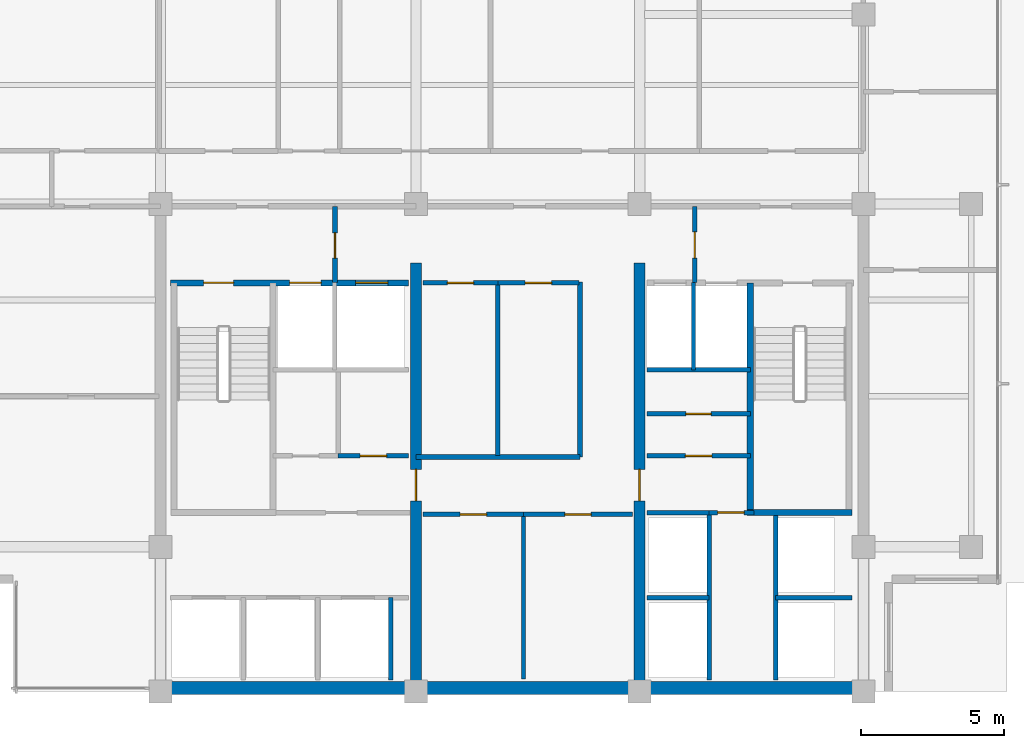
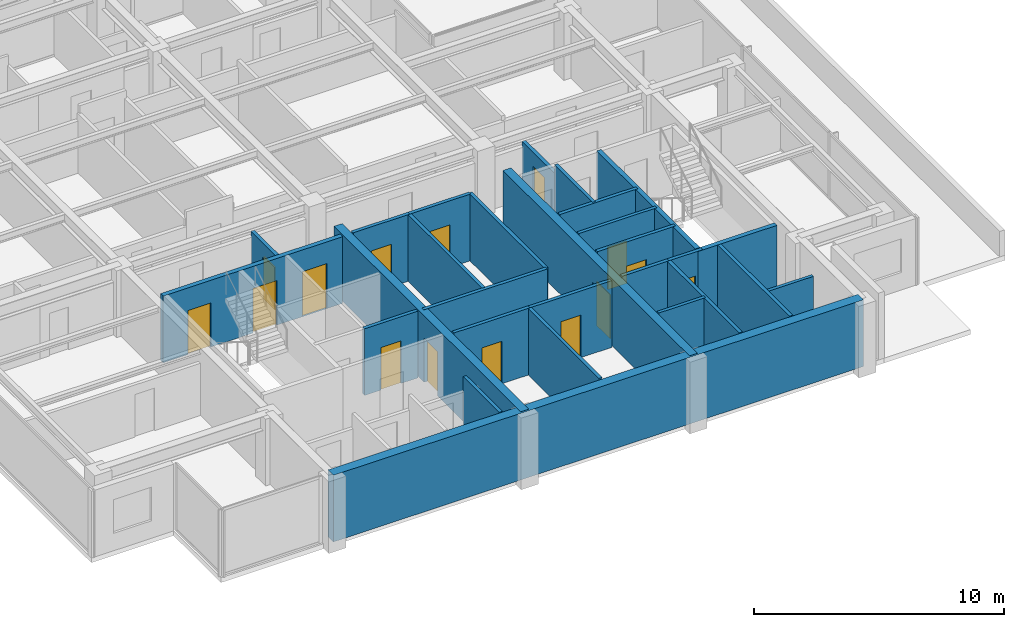
# One storey, part 6 of 11: 28 walls, 15 doors, 15 openings.
"""IFC4 building model written with IfcOpenShell, lengths in metres."""

from ifc_helpers import new_model, si_unit, direction, frame, frame_2d, origin, place, context, subcontext, project, spatial, rectangle, extrude, material, layer, layer_set, type_object, element, fill, save


model = new_model("IFC4")

# Units and contexts
model_context = context("Model", 3, precision=1e-05, world=origin(), true_north=direction((0.0, 1.0)))
body_context = subcontext(model_context, "Body", "Model", "MODEL_VIEW")
ifc_project = project(units=[si_unit("LENGTHUNIT", "METRE"), si_unit("AREAUNIT", "SQUARE_METRE"), si_unit("VOLUMEUNIT", "CUBIC_METRE"), si_unit("PLANEANGLEUNIT", "RADIAN"), si_unit("MASSUNIT", "GRAM", prefix="KILO")], contexts=[model_context])

# Site, building, storey
site_placement = place(None, origin())
site = spatial("IfcSite", under=ifc_project, at=site_placement, CompositionType="ELEMENT")
building_placement = place(site_placement, origin())
building = spatial("IfcBuilding", under=site, at=building_placement, Name="Qalmaran Belvedere Hotel", CompositionType="ELEMENT")
storey_placement = place(building_placement, frame((0.0, 0.0, 238.89990234375)))
storey = spatial("IfcBuildingStorey", under=building, at=storey_placement, Name="L61", CompositionType="ELEMENT", Elevation=238.89990234375)

# Wall, opening, door
ifc_material_1 = material(Name="Concrete C50/60", Category="concrete")
ifc_layer_1 = layer(ifc_material_1, 0.3798828125, Name="Concrete C50/60")
ifc_layer_set_1 = layer_set([ifc_layer_1], Name="Concrete C50/60")
wall_type_1 = type_object("IfcWallType", Name="WL-CORE-380-C50", PredefinedType="SHEAR", material=ifc_layer_set_1)
wall_1_placement = place(storey_placement, frame((29.199951171875, 3.5, 0.0), z_axis=(0.0, 0.0, 1.0), x_axis=(0.0, 1.0, 0.0)))
wall_1 = element("IfcWall", 1, at=wall_1_placement, inside=storey, type_object=wall_type_1, Name="L61 Core West Spine Shear Wall", PredefinedType="SHEAR", context=body_context, shape_type="SweptSolid", body=[
    extrude(rectangle(XDim=14.949951171875, YDim=0.3798828125, at=frame_2d((7.47509765625, 0.0))), origin(), (0.0, 0.0, 1.0), 3.260009765625),
])
opening_1_placement = place(wall_1_placement, frame((7.75, 0.0, 0.0), z_axis=(0.0, 0.0, 1.0), x_axis=(-1.0, 0.0, 0.0)))
opening_1 = element("IfcOpeningElement", 2, at=opening_1_placement, cuts=wall_1, Name="Opening FD90", PredefinedType="OPENING", context=body_context, shape_type="SweptSolid", body=[
    extrude(rectangle(XDim=1.10009765625, YDim=2.14990234375, at=frame_2d((0.550048828125, 1.074951171875))), frame((0.0, 0.199951171875, 0.0), z_axis=(0.0, -1.0, 0.0), x_axis=(1.0, 0.0, 0.0)), (0.0, 0.0, 1.0), 0.39990234375),
])
ifc_material_2 = material(Name="Steel S355JR", Category="steel")
door_type_1 = type_object("IfcDoorType", Name="DR-FD90-1100X2150", OperationType="NOTDEFINED", PredefinedType="DOOR", material=ifc_material_2)
door_1_placement = place(opening_1_placement, origin())
door_1 = element("IfcDoor", 3, at=door_1_placement, inside=storey, type_object=door_type_1, Name="L61 Core West Cross-Lobby Door", OperationType="SINGLE_SWING_LEFT", OverallHeight=2.14990234375, OverallWidth=1.10009765625, PredefinedType="DOOR", context=body_context, shape_type="SweptSolid", body=[
    extrude(rectangle(XDim=1.10009765625, YDim=2.14990234375, at=frame_2d((0.550048828125, 1.074951171875))), frame((0.0, 0.02490234375, 0.0), z_axis=(0.0, -1.0, 0.0), x_axis=(1.0, 0.0, 0.0)), (0.0, 0.0, 1.0), 0.050048828125),
])
fill(opening_1, door_1)

wall_2_placement = place(storey_placement, frame((37.0, 3.5, 0.0), z_axis=(0.0, 0.0, 1.0), x_axis=(0.0, 1.0, 0.0)))
wall_2 = element("IfcWall", 4, at=wall_2_placement, inside=storey, type_object=wall_type_1, Name="L61 Core East Spine Shear Wall", PredefinedType="SHEAR", context=body_context, shape_type="SweptSolid", body=[
    extrude(rectangle(XDim=14.949951171875, YDim=0.3798828125, at=frame_2d((7.47509765625, 0.0))), origin(), (0.0, 0.0, 1.0), 3.260009765625),
])
opening_2_placement = place(wall_2_placement, frame((6.64990234375, 0.0, 0.0)))
opening_2 = element("IfcOpeningElement", 5, at=opening_2_placement, cuts=wall_2, Name="Opening FD90", PredefinedType="OPENING", context=body_context, shape_type="SweptSolid", body=[
    extrude(rectangle(XDim=1.10009765625, YDim=2.14990234375, at=frame_2d((0.550048828125, 1.074951171875))), frame((0.0, 0.199951171875, 0.0), z_axis=(0.0, -1.0, 0.0), x_axis=(1.0, 0.0, 0.0)), (0.0, 0.0, 1.0), 0.39990234375),
])
door_2_placement = place(opening_2_placement, origin())
door_2 = element("IfcDoor", 6, at=door_2_placement, inside=storey, type_object=door_type_1, Name="L61 Core East Cross-Lobby Door", OperationType="SINGLE_SWING_RIGHT", OverallHeight=2.14990234375, OverallWidth=1.10009765625, PredefinedType="DOOR", context=body_context, shape_type="SweptSolid", body=[
    extrude(rectangle(XDim=1.10009765625, YDim=2.14990234375, at=frame_2d((0.550048828125, 1.074951171875))), frame((0.0, 0.02490234375, 0.0), z_axis=(0.0, -1.0, 0.0), x_axis=(1.0, 0.0, 0.0)), (0.0, 0.0, 1.0), 0.050048828125),
])
fill(opening_2, door_2)

# Walls
ifc_layer_2 = layer(ifc_material_1, 0.43994140625, Name="Concrete C50/60")
ifc_layer_set_2 = layer_set([ifc_layer_2], Name="Concrete C50/60")
wall_type_2 = type_object("IfcWallType", Name="WL-CORES-440-EXT", PredefinedType="SHEAR", material=ifc_layer_set_2)
wall_3_placement = place(storey_placement, frame((20.300048828125, 3.6298828125, 0.0), z_axis=(0.0, 0.0, 1.0), x_axis=(1.0, 0.0, 0.0)))
element("IfcWall", 7, at=wall_3_placement, inside=storey, type_object=wall_type_2, Name="L61 South Core Shear Wall", PredefinedType="SHEAR", context=body_context, shape_type="SweptSolid", body=[
    extrude(rectangle(XDim=24.5, YDim=0.43994140625, at=frame_2d((12.25, 0.0))), origin(), (0.0, 0.0, 1.0), 3.260009765625),
])
ifc_material_3 = material(Name="Gypsum Stud Partition")
ifc_layer_3 = layer(ifc_material_3, 0.14990234375, Name="Gypsum Stud Partition")
ifc_layer_set_3 = layer_set([ifc_layer_3], Name="Gypsum Stud Partition")
wall_type_3 = type_object("IfcWallType", Name="WL-INT-150-EI120", PredefinedType="PARTITIONING", material=ifc_layer_set_3)
wall_4_placement = place(storey_placement, frame((38.8798828125, 14.719970703125, 0.0), z_axis=(0.0, 0.0, 1.0), x_axis=(0.0, 1.0, 0.0)))
element("IfcWall", 8, at=wall_4_placement, inside=storey, type_object=wall_type_3, Name="L61 Partition WL-FF2M-L61", PredefinedType="PARTITIONING", context=body_context, shape_type="SweptSolid", body=[
    extrude(rectangle(XDim=3.0400390625, YDim=0.14990234375, at=frame_2d((1.52001953125, 0.0))), origin(), (0.0, 0.0, 1.0), 3.260009765625),
])
wall_5_placement = place(storey_placement, frame((28.320068359375, 3.89990234375, 0.0), z_axis=(0.0, 0.0, 1.0), x_axis=(0.0, 1.0, 0.0)))
element("IfcWall", 9, at=wall_5_placement, inside=storey, type_object=wall_type_3, Name="L61 Partition WL-POM3-L61", PredefinedType="PARTITIONING", context=body_context, shape_type="SweptSolid", body=[
    extrude(rectangle(XDim=2.880126953125, YDim=0.14990234375, at=frame_2d((1.43994140625, 0.0))), origin(), (0.0, 0.0, 1.0), 3.260009765625),
])
wall_6_placement = place(storey_placement, frame((37.25, 6.780029296875, 0.0), z_axis=(0.0, 0.0, 1.0), x_axis=(1.0, 0.0, 0.0)))
element("IfcWall", 10, at=wall_6_placement, inside=storey, type_object=wall_type_3, Name="L61 Partition WL-PHMW-L61", PredefinedType="PARTITIONING", context=body_context, shape_type="SweptSolid", body=[
    extrude(rectangle(XDim=2.169921875, YDim=0.14990234375, at=frame_2d((1.0849609375, 0.0))), origin(), (0.0, 0.0, 1.0), 3.260009765625),
])
wall_7_placement = place(storey_placement, frame((41.739990234375, 6.780029296875, 0.0), z_axis=(0.0, 0.0, 1.0), x_axis=(1.0, 0.0, 0.0)))
element("IfcWall", 11, at=wall_7_placement, inside=storey, type_object=wall_type_3, Name="L61 Partition WL-PHME-L61", PredefinedType="PARTITIONING", context=body_context, shape_type="SweptSolid", body=[
    extrude(rectangle(XDim=2.659912109375, YDim=0.14990234375, at=frame_2d((1.330078125, 0.0))), origin(), (0.0, 0.0, 1.0), 2.550048828125),
])

# Wall, opening, door
ifc_layer_4 = layer(ifc_material_3, 0.14990234375, Name="Gypsum Stud Partition")
ifc_layer_set_4 = layer_set([ifc_layer_4], Name="Gypsum Stud Partition")
wall_type_4 = type_object("IfcWallType", Name="WL-INT-150-EI60", PredefinedType="PARTITIONING", material=ifc_layer_set_4)
wall_8_placement = place(storey_placement, frame((37.25, 13.18505859375, 0.0), z_axis=(0.0, 0.0, 1.0), x_axis=(1.0, 0.0, 0.0)))
wall_8 = element("IfcWall", 12, at=wall_8_placement, inside=storey, type_object=wall_type_4, Name="L61 Partition WL-L61-KEHM", PredefinedType="PARTITIONING", context=body_context, shape_type="SweptSolid", body=[
    extrude(rectangle(XDim=3.610107421875, YDim=0.14990234375, at=frame_2d((1.80517578125, 0.0))), origin(), (0.0, 0.0, 1.0), 3.260009765625),
])
opening_3_placement = place(wall_8_placement, frame((1.364990234375, 0.0, 0.0)))
opening_3 = element("IfcOpeningElement", 13, at=opening_3_placement, cuts=wall_8, Name="Opening FD60B", PredefinedType="OPENING", context=body_context, shape_type="SweptSolid", body=[
    extrude(rectangle(XDim=0.8798828125, YDim=2.080078125, at=frame_2d((0.43994140625, 1.0400390625))), frame((0.0, 0.0849609375, 0.0), z_axis=(0.0, -1.0, 0.0), x_axis=(1.0, 0.0, 0.0)), (0.0, 0.0, 1.0), 0.169921875),
])
door_type_2 = type_object("IfcDoorType", Name="DR-FD60B-880X2080", OperationType="NOTDEFINED", PredefinedType="DOOR", material=ifc_material_2)
door_3_placement = place(opening_3_placement, origin())
door_3 = element("IfcDoor", 14, at=door_3_placement, inside=storey, type_object=door_type_2, Name="L61 Hotel Linen Closet Door", OperationType="SINGLE_SWING_LEFT", OverallHeight=2.080078125, OverallWidth=0.8798828125, PredefinedType="DOOR", context=body_context, shape_type="SweptSolid", body=[
    extrude(rectangle(XDim=0.8798828125, YDim=2.080078125, at=frame_2d((0.43994140625, 1.0400390625))), frame((0.0, 0.02490234375, 0.0), z_axis=(0.0, -1.0, 0.0), x_axis=(1.0, 0.0, 0.0)), (0.0, 0.0, 1.0), 0.050048828125),
])
fill(opening_3, door_3)

# Walls
wall_9_placement = place(storey_placement, frame((32.9541015625, 3.949951171875, 0.0), z_axis=(0.0, 0.0, 1.0), x_axis=(0.0, 1.0, 0.0)))
element("IfcWall", 15, at=wall_9_placement, inside=storey, type_object=wall_type_4, Name="L61 Partition WL-L61-KPLV1", PredefinedType="PARTITIONING", context=body_context, shape_type="SweptSolid", body=[
    extrude(rectangle(XDim=5.72998046875, YDim=0.14990234375, at=frame_2d((2.864990234375, 0.0))), origin(), (0.0, 0.0, 1.0), 3.260009765625),
])
wall_10_placement = place(storey_placement, frame((32.056396484375, 11.739990234375, 0.0), z_axis=(0.0, 0.0, 1.0), x_axis=(0.0, 1.0, 0.0)))
element("IfcWall", 16, at=wall_10_placement, inside=storey, type_object=wall_type_4, Name="L61 Partition WL-L61-KPMV1", PredefinedType="PARTITIONING", context=body_context, shape_type="SweptSolid", body=[
    extrude(rectangle(XDim=6.010009765625, YDim=0.14990234375, at=frame_2d((3.0048828125, 0.0))), origin(), (0.0, 0.0, 1.0), 3.260009765625),
])

# Wall, opening, door
ifc_layer_5 = layer(ifc_material_3, 0.159912109375, Name="Gypsum Stud Partition")
ifc_layer_set_5 = layer_set([ifc_layer_5], Name="Gypsum Stud Partition")
wall_type_5 = type_object("IfcWallType", Name="WL-INT-160-EI120", PredefinedType="PARTITIONING", material=ifc_layer_set_5)
wall_11_placement = place(storey_placement, frame((26.3798828125, 17.760009765625, 0.0), z_axis=(0.0, 0.0, 1.0), x_axis=(0.0, 1.0, 0.0)))
wall_11 = element("IfcWall", 17, at=wall_11_placement, inside=storey, type_object=wall_type_5, Name="L61 Partition WL-FFSV1-L61", PredefinedType="PARTITIONING", context=body_context, shape_type="SweptSolid", body=[
    extrude(rectangle(XDim=2.659912109375, YDim=0.159912109375, at=frame_2d((1.330078125, 0.0))), origin(), (0.0, 0.0, 1.0), 2.781982421875),
])
opening_4_placement = place(wall_11_placement, frame((0.85009765625, 0.0, 0.0)))
opening_4 = element("IfcOpeningElement", 18, at=opening_4_placement, cuts=wall_11, Name="Opening FD60B", PredefinedType="OPENING", context=body_context, shape_type="SweptSolid", body=[
    extrude(rectangle(XDim=0.8798828125, YDim=2.080078125, at=frame_2d((0.43994140625, 1.0400390625))), frame((0.0, 0.08984375, 0.0), z_axis=(0.0, -1.0, 0.0), x_axis=(1.0, 0.0, 0.0)), (0.0, 0.0, 1.0), 0.179931640625),
])
door_4_placement = place(opening_4_placement, origin())
door_4 = element("IfcDoor", 19, at=door_4_placement, inside=storey, type_object=door_type_2, Name="L61 Service Lobby West Door", OperationType="SINGLE_SWING_LEFT", OverallHeight=2.080078125, OverallWidth=0.8798828125, PredefinedType="DOOR", context=body_context, shape_type="SweptSolid", body=[
    extrude(rectangle(XDim=0.8798828125, YDim=2.080078125, at=frame_2d((0.43994140625, 1.0400390625))), frame((0.0, 0.02490234375, 0.0), z_axis=(0.0, -1.0, 0.0), x_axis=(1.0, 0.0, 0.0)), (0.0, 0.0, 1.0), 0.050048828125),
])
fill(opening_4, door_4)

wall_12_placement = place(storey_placement, frame((38.919921875, 17.760009765625, 0.0), z_axis=(0.0, 0.0, 1.0), x_axis=(0.0, 1.0, 0.0)))
wall_12 = element("IfcWall", 20, at=wall_12_placement, inside=storey, type_object=wall_type_5, Name="L61 Partition WL-FFSV2-L61", PredefinedType="PARTITIONING", context=body_context, shape_type="SweptSolid", body=[
    extrude(rectangle(XDim=2.659912109375, YDim=0.159912109375, at=frame_2d((1.330078125, 0.0))), origin(), (0.0, 0.0, 1.0), 2.781982421875),
])
opening_5_placement = place(wall_12_placement, frame((1.77001953125, 0.0, 0.0), z_axis=(0.0, 0.0, 1.0), x_axis=(-1.0, 0.0, 0.0)))
opening_5 = element("IfcOpeningElement", 21, at=opening_5_placement, cuts=wall_12, Name="Opening FD60S1", PredefinedType="OPENING", context=body_context, shape_type="SweptSolid", body=[
    extrude(rectangle(XDim=0.919921875, YDim=2.080078125, at=frame_2d((0.4599609375, 1.0400390625))), frame((0.0, 0.08984375, 0.0), z_axis=(0.0, -1.0, 0.0), x_axis=(1.0, 0.0, 0.0)), (0.0, 0.0, 1.0), 0.179931640625),
])
ifc_material_4 = material(Name="Engineered Oak Veneer")
door_type_3 = type_object("IfcDoorType", Name="DR-FD60S-920X2080", OperationType="NOTDEFINED", PredefinedType="DOOR", material=ifc_material_4)
door_5_placement = place(opening_5_placement, origin())
door_5 = element("IfcDoor", 22, at=door_5_placement, inside=storey, type_object=door_type_3, Name="L61 Service Lobby East Door", OperationType="SINGLE_SWING_RIGHT", OverallHeight=2.080078125, OverallWidth=0.919921875, PredefinedType="DOOR", context=body_context, shape_type="SweptSolid", body=[
    extrude(rectangle(XDim=0.919921875, YDim=2.080078125, at=frame_2d((0.4599609375, 1.0400390625))), frame((0.0, 0.02490234375, 0.0), z_axis=(0.0, -1.0, 0.0), x_axis=(1.0, 0.0, 0.0)), (0.0, 0.0, 1.0), 0.050048828125),
])
fill(opening_5, door_5)

# Walls
wall_13_placement = place(storey_placement, frame((37.25, 14.719970703125, 0.0), z_axis=(0.0, 0.0, 1.0), x_axis=(1.0, 0.0, 0.0)))
element("IfcWall", 23, at=wall_13_placement, inside=storey, type_object=wall_type_5, Name="L61 Partition WL-FF2S-L61", PredefinedType="PARTITIONING", context=body_context, shape_type="SweptSolid", body=[
    extrude(rectangle(XDim=3.610107421875, YDim=0.159912109375, at=frame_2d((1.80517578125, 0.0))), origin(), (0.0, 0.0, 1.0), 3.260009765625),
])
for number, where, z_axis, x_axis, name in (
    (24, (39.419921875, 3.89990234375, 0.0), (0.0, 0.0, 1.0), (0.0, 1.0, 0.0), "L61 Partition WL-PHW-L61"),
    (25, (41.739990234375, 3.89990234375, 0.0), (0.0, 0.0, 1.0), (0.0, 1.0, 0.0), "L61 Partition WL-PHE-L61"),
):
    element("IfcWall", number, at=place(storey_placement, frame(where, z_axis=z_axis, x_axis=x_axis)), inside=storey, type_object=wall_type_5, Name=name, PredefinedType="PARTITIONING", context=body_context, shape_type="SweptSolid", body=[
        extrude(rectangle(XDim=5.840087890625, YDim=0.159912109375, at=frame_2d((2.919921875, 0.0))), origin(), (0.0, 0.0, 1.0), 3.260009765625),
    ])
wall_14_placement = place(storey_placement, frame((37.25, 9.739990234375, 0.0), z_axis=(0.0, 0.0, 1.0), x_axis=(1.0, 0.0, 0.0)))
element("IfcWall", 26, at=wall_14_placement, inside=storey, type_object=wall_type_5, Name="L61 Partition WL-PHNW-L61", PredefinedType="PARTITIONING", context=body_context, shape_type="SweptSolid", body=[
    extrude(rectangle(XDim=2.169921875, YDim=0.159912109375, at=frame_2d((1.0849609375, 0.0))), origin(), (0.0, 0.0, 1.0), 3.260009765625),
])

# Wall, opening, door
wall_15_placement = place(storey_placement, frame((39.419921875, 9.739990234375, 0.0), z_axis=(0.0, 0.0, 1.0), x_axis=(1.0, 0.0, 0.0)))
wall_15 = element("IfcWall", 27, at=wall_15_placement, inside=storey, type_object=wall_type_5, Name="L61 Partition WL-PHNL-L61", PredefinedType="PARTITIONING", context=body_context, shape_type="SweptSolid", body=[
    extrude(rectangle(XDim=1.56005859375, YDim=0.159912109375, at=frame_2d((0.780029296875, 0.0))), origin(), (0.0, 0.0, 1.0), 3.260009765625),
])
opening_6_placement = place(wall_15_placement, frame((0.300048828125, 0.0, 0.0)))
opening_6 = element("IfcOpeningElement", 28, at=opening_6_placement, cuts=wall_15, Name="Opening FD60S1", PredefinedType="OPENING", context=body_context, shape_type="SweptSolid", body=[
    extrude(rectangle(XDim=0.919921875, YDim=2.080078125, at=frame_2d((0.4599609375, 1.0400390625))), frame((0.0, 0.08984375, 0.0), z_axis=(0.0, -1.0, 0.0), x_axis=(1.0, 0.0, 0.0)), (0.0, 0.0, 1.0), 0.179931640625),
])
door_6_placement = place(opening_6_placement, origin())
door_6 = element("IfcDoor", 29, at=door_6_placement, inside=storey, type_object=door_type_3, Name="L61 High-Rise Lift Lobby Passage Door", OperationType="SINGLE_SWING_LEFT", OverallHeight=2.080078125, OverallWidth=0.919921875, PredefinedType="DOOR", context=body_context, shape_type="SweptSolid", body=[
    extrude(rectangle(XDim=0.919921875, YDim=2.080078125, at=frame_2d((0.4599609375, 1.0400390625))), frame((0.0, 0.02490234375, 0.0), z_axis=(0.0, -1.0, 0.0), x_axis=(1.0, 0.0, 0.0)), (0.0, 0.0, 1.0), 0.050048828125),
])
fill(opening_6, door_6)

ifc_layer_6 = layer(ifc_material_3, 0.159912109375, Name="Gypsum Stud Partition")
ifc_layer_set_6 = layer_set([ifc_layer_6], Name="Gypsum Stud Partition")
wall_type_6 = type_object("IfcWallType", Name="WL-INT-160-EI60", PredefinedType="PARTITIONING", material=ifc_layer_set_6)
wall_16_placement = place(storey_placement, frame((26.490478515625, 11.719970703125, 0.0), z_axis=(0.0, 0.0, 1.0), x_axis=(1.0, 0.0, 0.0)))
wall_16 = element("IfcWall", 30, at=wall_16_placement, inside=storey, type_object=wall_type_6, Name="L61 Partition WL-L61-KWE2", PredefinedType="PARTITIONING", context=body_context, shape_type="SweptSolid", body=[
    extrude(rectangle(XDim=2.45947265625, YDim=0.159912109375, at=frame_2d((1.229736328125, 0.0))), origin(), (0.0, 0.0, 1.0), 3.260009765625),
])
opening_7_placement = place(wall_16_placement, frame((0.769775390625, 0.0, 0.0)))
opening_7 = element("IfcOpeningElement", 31, at=opening_7_placement, cuts=wall_16, Name="Opening FD60S1", PredefinedType="OPENING", context=body_context, shape_type="SweptSolid", body=[
    extrude(rectangle(XDim=0.919921875, YDim=2.080078125, at=frame_2d((0.4599609375, 1.0400390625))), frame((0.0, 0.08984375, 0.0), z_axis=(0.0, -1.0, 0.0), x_axis=(1.0, 0.0, 0.0)), (0.0, 0.0, 1.0), 0.179931640625),
])
door_7_placement = place(opening_7_placement, origin())
door_7 = element("IfcDoor", 32, at=door_7_placement, inside=storey, type_object=door_type_3, Name="L61 Cleaner Supply Store Door", OperationType="SINGLE_SWING_LEFT", OverallHeight=2.080078125, OverallWidth=0.919921875, PredefinedType="DOOR", context=body_context, shape_type="SweptSolid", body=[
    extrude(rectangle(XDim=0.919921875, YDim=2.080078125, at=frame_2d((0.4599609375, 1.0400390625))), frame((0.0, 0.02490234375, 0.0), z_axis=(0.0, -1.0, 0.0), x_axis=(1.0, 0.0, 0.0)), (0.0, 0.0, 1.0), 0.050048828125),
])
fill(opening_7, door_7)

wall_17_placement = place(storey_placement, frame((37.25, 11.719970703125, 0.0), z_axis=(0.0, 0.0, 1.0), x_axis=(1.0, 0.0, 0.0)))
wall_17 = element("IfcWall", 33, at=wall_17_placement, inside=storey, type_object=wall_type_6, Name="L61 Partition WL-L61-KEE1", PredefinedType="PARTITIONING", context=body_context, shape_type="SweptSolid", body=[
    extrude(rectangle(XDim=3.610107421875, YDim=0.159912109375, at=frame_2d((1.80517578125, 0.0))), origin(), (0.0, 0.0, 1.0), 3.260009765625),
])
opening_8_placement = place(wall_17_placement, frame((1.344970703125, 0.0, 0.0)))
opening_8 = element("IfcOpeningElement", 34, at=opening_8_placement, cuts=wall_17, Name="Opening FD60S1", PredefinedType="OPENING", context=body_context, shape_type="SweptSolid", body=[
    extrude(rectangle(XDim=0.919921875, YDim=2.080078125, at=frame_2d((0.4599609375, 1.0400390625))), frame((0.0, 0.08984375, 0.0), z_axis=(0.0, -1.0, 0.0), x_axis=(1.0, 0.0, 0.0)), (0.0, 0.0, 1.0), 0.179931640625),
])
door_8_placement = place(opening_8_placement, origin())
door_8 = element("IfcDoor", 35, at=door_8_placement, inside=storey, type_object=door_type_3, Name="L61 Low Voltage Switch Room Door", OperationType="SINGLE_SWING_RIGHT", OverallHeight=2.080078125, OverallWidth=0.919921875, PredefinedType="DOOR", context=body_context, shape_type="SweptSolid", body=[
    extrude(rectangle(XDim=0.919921875, YDim=2.080078125, at=frame_2d((0.4599609375, 1.0400390625))), frame((0.0, 0.02490234375, 0.0), z_axis=(0.0, -1.0, 0.0), x_axis=(1.0, 0.0, 0.0)), (0.0, 0.0, 1.0), 0.050048828125),
])
fill(opening_8, door_8)

# Wall
wall_18_placement = place(storey_placement, frame((34.919921875, 11.679931640625, 0.0), z_axis=(0.0, 0.0, 1.0), x_axis=(0.0, 1.0, 0.0)))
element("IfcWall", 36, at=wall_18_placement, inside=storey, type_object=wall_type_6, Name="L61 Partition WL-CLLV-L61", PredefinedType="PARTITIONING", context=body_context, shape_type="SweptSolid", body=[
    extrude(rectangle(XDim=6.10009765625, YDim=0.159912109375, at=frame_2d((3.050048828125, 0.0))), origin(), (0.0, 0.0, 1.0), 3.260009765625),
])

# Wall, opening, door
wall_19_placement = place(storey_placement, frame((29.449951171875, 9.679931640625, 0.0), z_axis=(0.0, 0.0, 1.0), x_axis=(1.0, 0.0, 0.0)))
wall_19 = element("IfcWall", 37, at=wall_19_placement, inside=storey, type_object=wall_type_6, Name="L61 Partition WL-L61-KPLE1", PredefinedType="PARTITIONING", context=body_context, shape_type="SweptSolid", body=[
    extrude(rectangle(XDim=3.504150390625, YDim=0.159912109375, at=frame_2d((1.751953125, 0.0))), origin(), (0.0, 0.0, 1.0), 3.260009765625),
])
opening_9_placement = place(wall_19_placement, frame((2.2119140625, 0.0, 0.0), z_axis=(0.0, 0.0, 1.0), x_axis=(-1.0, 0.0, 0.0)))
opening_9 = element("IfcOpeningElement", 38, at=opening_9_placement, cuts=wall_19, Name="Opening FD60S1", PredefinedType="OPENING", context=body_context, shape_type="SweptSolid", body=[
    extrude(rectangle(XDim=0.919921875, YDim=2.080078125, at=frame_2d((0.4599609375, 1.0400390625))), frame((0.0, 0.08984375, 0.0), z_axis=(0.0, -1.0, 0.0), x_axis=(1.0, 0.0, 0.0)), (0.0, 0.0, 1.0), 0.179931640625),
])
door_9_placement = place(opening_9_placement, origin())
door_9 = element("IfcDoor", 39, at=door_9_placement, inside=storey, type_object=door_type_3, Name="L61 Hotel Butler Service Pantry Door", OperationType="SINGLE_SWING_RIGHT", OverallHeight=2.080078125, OverallWidth=0.919921875, PredefinedType="DOOR", context=body_context, shape_type="SweptSolid", body=[
    extrude(rectangle(XDim=0.919921875, YDim=2.080078125, at=frame_2d((0.4599609375, 1.0400390625))), frame((0.0, 0.02490234375, 0.0), z_axis=(0.0, -1.0, 0.0), x_axis=(1.0, 0.0, 0.0)), (0.0, 0.0, 1.0), 0.050048828125),
])
fill(opening_9, door_9)

wall_20_placement = place(storey_placement, frame((32.9541015625, 9.679931640625, 0.0), z_axis=(0.0, 0.0, 1.0), x_axis=(1.0, 0.0, 0.0)))
wall_20 = element("IfcWall", 40, at=wall_20_placement, inside=storey, type_object=wall_type_6, Name="L61 Partition WL-L61-KPLE2", PredefinedType="PARTITIONING", context=body_context, shape_type="SweptSolid", body=[
    extrude(rectangle(XDim=3.7958984375, YDim=0.159912109375, at=frame_2d((1.89794921875, 0.0))), origin(), (0.0, 0.0, 1.0), 3.260009765625),
])
opening_10_placement = place(wall_20_placement, frame((2.35791015625, 0.0, 0.0), z_axis=(0.0, 0.0, 1.0), x_axis=(-1.0, 0.0, 0.0)))
opening_10 = element("IfcOpeningElement", 41, at=opening_10_placement, cuts=wall_20, Name="Opening FD60S1", PredefinedType="OPENING", context=body_context, shape_type="SweptSolid", body=[
    extrude(rectangle(XDim=0.919921875, YDim=2.080078125, at=frame_2d((0.4599609375, 1.0400390625))), frame((0.0, 0.08984375, 0.0), z_axis=(0.0, -1.0, 0.0), x_axis=(1.0, 0.0, 0.0)), (0.0, 0.0, 1.0), 0.179931640625),
])
door_10_placement = place(opening_10_placement, origin())
door_10 = element("IfcDoor", 42, at=door_10_placement, inside=storey, type_object=door_type_3, Name="L61 Guest Valet Supply Store Door", OperationType="SINGLE_SWING_LEFT", OverallHeight=2.080078125, OverallWidth=0.919921875, PredefinedType="DOOR", context=body_context, shape_type="SweptSolid", body=[
    extrude(rectangle(XDim=0.919921875, YDim=2.080078125, at=frame_2d((0.4599609375, 1.0400390625))), frame((0.0, 0.02490234375, 0.0), z_axis=(0.0, -1.0, 0.0), x_axis=(1.0, 0.0, 0.0)), (0.0, 0.0, 1.0), 0.050048828125),
])
fill(opening_10, door_10)

# Wall
wall_21_placement = place(storey_placement, frame((29.199951171875, 11.679931640625, 0.0), z_axis=(0.0, 0.0, 1.0), x_axis=(1.0, 0.0, 0.0)))
element("IfcWall", 43, at=wall_21_placement, inside=storey, type_object=wall_type_6, Name="L61 Partition WL-PMFS-L61", PredefinedType="PARTITIONING", context=body_context, shape_type="SweptSolid", body=[
    extrude(rectangle(XDim=5.719970703125, YDim=0.159912109375, at=frame_2d((2.85986328125, 0.0))), origin(), (0.0, 0.0, 1.0), 3.260009765625),
])

# Wall, opening, door
wall_22_placement = place(storey_placement, frame((29.449951171875, 17.75, 0.0), z_axis=(0.0, 0.0, 1.0), x_axis=(1.0, 0.0, 0.0)))
wall_22 = element("IfcWall", 44, at=wall_22_placement, inside=storey, type_object=wall_type_6, Name="L61 Partition WL-L61-KPME1", PredefinedType="PARTITIONING", context=body_context, shape_type="SweptSolid", body=[
    extrude(rectangle(XDim=2.6064453125, YDim=0.159912109375, at=frame_2d((1.30322265625, 0.0))), origin(), (0.0, 0.0, 1.0), 3.260009765625),
])
opening_11_placement = place(wall_22_placement, frame((1.76318359375, 0.0, 0.0), z_axis=(0.0, 0.0, 1.0), x_axis=(-1.0, 0.0, 0.0)))
opening_11 = element("IfcOpeningElement", 45, at=opening_11_placement, cuts=wall_22, Name="Opening FD60S1", PredefinedType="OPENING", context=body_context, shape_type="SweptSolid", body=[
    extrude(rectangle(XDim=0.919921875, YDim=2.080078125, at=frame_2d((0.4599609375, 1.0400390625))), frame((0.0, 0.08984375, 0.0), z_axis=(0.0, -1.0, 0.0), x_axis=(1.0, 0.0, 0.0)), (0.0, 0.0, 1.0), 0.179931640625),
])
door_11_placement = place(opening_11_placement, origin())
door_11 = element("IfcDoor", 46, at=door_11_placement, inside=storey, type_object=door_type_3, Name="L61 Floor Linen Supply Store Door", OperationType="SINGLE_SWING_RIGHT", OverallHeight=2.080078125, OverallWidth=0.919921875, PredefinedType="DOOR", context=body_context, shape_type="SweptSolid", body=[
    extrude(rectangle(XDim=0.919921875, YDim=2.080078125, at=frame_2d((0.4599609375, 1.0400390625))), frame((0.0, 0.02490234375, 0.0), z_axis=(0.0, -1.0, 0.0), x_axis=(1.0, 0.0, 0.0)), (0.0, 0.0, 1.0), 0.050048828125),
])
fill(opening_11, door_11)

wall_23_placement = place(storey_placement, frame((32.056396484375, 17.75, 0.0), z_axis=(0.0, 0.0, 1.0), x_axis=(1.0, 0.0, 0.0)))
wall_23 = element("IfcWall", 47, at=wall_23_placement, inside=storey, type_object=wall_type_6, Name="L61 Partition WL-L61-KPME2", PredefinedType="PARTITIONING", context=body_context, shape_type="SweptSolid", body=[
    extrude(rectangle(XDim=2.823486328125, YDim=0.159912109375, at=frame_2d((1.41162109375, 0.0))), origin(), (0.0, 0.0, 1.0), 3.260009765625),
])
opening_12_placement = place(wall_23_placement, frame((1.871826171875, 0.0, 0.0), z_axis=(0.0, 0.0, 1.0), x_axis=(-1.0, 0.0, 0.0)))
opening_12 = element("IfcOpeningElement", 48, at=opening_12_placement, cuts=wall_23, Name="Opening FD60S1", PredefinedType="OPENING", context=body_context, shape_type="SweptSolid", body=[
    extrude(rectangle(XDim=0.919921875, YDim=2.080078125, at=frame_2d((0.4599609375, 1.0400390625))), frame((0.0, 0.08984375, 0.0), z_axis=(0.0, -1.0, 0.0), x_axis=(1.0, 0.0, 0.0)), (0.0, 0.0, 1.0), 0.179931640625),
])
door_12_placement = place(opening_12_placement, origin())
door_12 = element("IfcDoor", 49, at=door_12_placement, inside=storey, type_object=door_type_3, Name="L61 Core Tableware Store Door", OperationType="SINGLE_SWING_LEFT", OverallHeight=2.080078125, OverallWidth=0.919921875, PredefinedType="DOOR", context=body_context, shape_type="SweptSolid", body=[
    extrude(rectangle(XDim=0.919921875, YDim=2.080078125, at=frame_2d((0.4599609375, 1.0400390625))), frame((0.0, 0.02490234375, 0.0), z_axis=(0.0, -1.0, 0.0), x_axis=(1.0, 0.0, 0.0)), (0.0, 0.0, 1.0), 0.050048828125),
])
fill(opening_12, door_12)

# Wall, openings, doors
ifc_layer_7 = layer(ifc_material_1, 0.2099609375, Name="Concrete C50/60")
ifc_layer_set_7 = layer_set([ifc_layer_7], Name="Concrete C50/60")
wall_type_7 = type_object("IfcWallType", Name="WL-STAIR-210-C50", PredefinedType="SHEAR", material=ifc_layer_set_7)
wall_24_placement = place(storey_placement, frame((20.64990234375, 17.7548828125, 0.0), z_axis=(0.0, 0.0, 1.0), x_axis=(1.0, 0.0, 0.0)))
wall_24 = element("IfcWall", 50, at=wall_24_placement, inside=storey, type_object=wall_type_7, Name="L61 West Lobby and Stair ST-1 North Bearing Wall", PredefinedType="SHEAR", context=body_context, shape_type="SweptSolid", body=[
    extrude(rectangle(XDim=8.300048828125, YDim=0.2099609375, at=frame_2d((4.14990234375, 0.0))), origin(), (0.0, 0.0, 1.0), 3.260009765625),
])
opening_13_placement = place(wall_24_placement, frame((2.199951171875, 0.0, 0.0), z_axis=(0.0, 0.0, 1.0), x_axis=(-1.0, 0.0, 0.0)))
opening_13 = element("IfcOpeningElement", 51, at=opening_13_placement, cuts=wall_24, Name="Opening FD90S2", PredefinedType="OPENING", context=body_context, shape_type="SweptSolid", body=[
    extrude(rectangle(XDim=1.050048828125, YDim=2.14990234375, at=frame_2d((0.52490234375, 1.074951171875))), frame((0.0, 0.114990234375, 0.0), z_axis=(0.0, -1.0, 0.0), x_axis=(1.0, 0.0, 0.0)), (0.0, 0.0, 1.0), 0.22998046875),
])
opening_14_placement = place(wall_24_placement, frame((4.14990234375, 0.0, 0.0)))
opening_14 = element("IfcOpeningElement", 52, at=opening_14_placement, cuts=wall_24, Name="Opening LD-FF", PredefinedType="OPENING", context=body_context, shape_type="SweptSolid", body=[
    extrude(rectangle(XDim=1.10009765625, YDim=2.179931640625, at=frame_2d((0.550048828125, 1.08984375))), frame((0.0, 0.114990234375, 0.0), z_axis=(0.0, -1.0, 0.0), x_axis=(1.0, 0.0, 0.0)), (0.0, 0.0, 1.0), 0.22998046875),
])
opening_15_placement = place(wall_24_placement, frame((6.449951171875, 0.0, 0.0)))
opening_15 = element("IfcOpeningElement", 53, at=opening_15_placement, cuts=wall_24, Name="Opening LD-SV", PredefinedType="OPENING", context=body_context, shape_type="SweptSolid", body=[
    extrude(rectangle(XDim=1.1201171875, YDim=2.199951171875, at=frame_2d((0.56005859375, 1.10009765625))), frame((0.0, 0.114990234375, 0.0), z_axis=(0.0, -1.0, 0.0), x_axis=(1.0, 0.0, 0.0)), (0.0, 0.0, 1.0), 0.22998046875),
])
door_type_4 = type_object("IfcDoorType", Name="DR-FD90S-1050X2150", OperationType="NOTDEFINED", PredefinedType="DOOR", material=ifc_material_2)
door_13_placement = place(opening_13_placement, origin())
door_13 = element("IfcDoor", 54, at=door_13_placement, inside=storey, type_object=door_type_4, Name="L61 Stair ST-1 Door", OperationType="SINGLE_SWING_LEFT", OverallHeight=2.14990234375, OverallWidth=1.050048828125, PredefinedType="DOOR", context=body_context, shape_type="SweptSolid", body=[
    extrude(rectangle(XDim=1.050048828125, YDim=2.14990234375, at=frame_2d((0.52490234375, 1.074951171875))), frame((0.0, 0.02490234375, 0.0), z_axis=(0.0, -1.0, 0.0), x_axis=(1.0, 0.0, 0.0)), (0.0, 0.0, 1.0), 0.050048828125),
])
fill(opening_13, door_13)
ifc_material_5 = material(Name="Stainless Steel 1.4401", Category="steel")
door_type_5 = type_object("IfcDoorType", Name="DR-LIFT-FF-1100X2180", OperationType="DOUBLE_DOOR_SLIDING", PredefinedType="DOOR", material=ifc_material_5)
door_14_placement = place(opening_14_placement, origin())
door_14 = element("IfcDoor", 55, at=door_14_placement, inside=storey, type_object=door_type_5, Name="L61 FF1 Lift Landing Door", OperationType="DOUBLE_DOOR_SLIDING", OverallHeight=2.179931640625, OverallWidth=1.10009765625, PredefinedType="DOOR", context=body_context, shape_type="SweptSolid", body=[
    extrude(rectangle(XDim=1.10009765625, YDim=2.179931640625, at=frame_2d((0.550048828125, 1.08984375))), frame((0.0, 0.02490234375, 0.0), z_axis=(0.0, -1.0, 0.0), x_axis=(1.0, 0.0, 0.0)), (0.0, 0.0, 1.0), 0.050048828125),
])
fill(opening_14, door_14)
door_type_6 = type_object("IfcDoorType", Name="DR-LIFT-SV-1120X2200", OperationType="DOUBLE_DOOR_SLIDING", PredefinedType="DOOR", material=ifc_material_5)
door_15_placement = place(opening_15_placement, origin())
door_15 = element("IfcDoor", 56, at=door_15_placement, inside=storey, type_object=door_type_6, Name="L61 SV1 Lift Landing Door", OperationType="DOUBLE_DOOR_SLIDING", OverallHeight=2.199951171875, OverallWidth=1.1201171875, PredefinedType="DOOR", context=body_context, shape_type="SweptSolid", body=[
    extrude(rectangle(XDim=1.1201171875, YDim=2.199951171875, at=frame_2d((0.56005859375, 1.10009765625))), frame((0.0, 0.02490234375, 0.0), z_axis=(0.0, -1.0, 0.0), x_axis=(1.0, 0.0, 0.0)), (0.0, 0.0, 1.0), 0.050048828125),
])
fill(opening_15, door_15)

# Walls
wall_25_placement = place(storey_placement, frame((40.85498046875, 9.7451171875, 0.0), z_axis=(0.0, 0.0, 1.0), x_axis=(0.0, 1.0, 0.0)))
element("IfcWall", 57, at=wall_25_placement, inside=storey, type_object=wall_type_7, Name="L61 Stair ST-2 West Bearing Wall", PredefinedType="SHEAR", context=body_context, shape_type="SweptSolid", body=[
    extrude(rectangle(XDim=8.009765625, YDim=0.2099609375, at=frame_2d((4.0048828125, 0.0))), origin(), (0.0, 0.0, 1.0), 3.260009765625),
])
wall_26_placement = place(storey_placement, frame((40.75, 9.7451171875, 0.0), z_axis=(0.0, 0.0, 1.0), x_axis=(1.0, 0.0, 0.0)))
element("IfcWall", 58, at=wall_26_placement, inside=storey, type_object=wall_type_7, Name="L61 Stair ST-2 South Bearing Wall", PredefinedType="SHEAR", context=body_context, shape_type="SweptSolid", body=[
    extrude(rectangle(XDim=3.659912109375, YDim=0.2099609375, at=frame_2d((1.830078125, 0.0))), origin(), (0.0, 0.0, 1.0), 3.260009765625),
])

save(model, "model.ifc")
